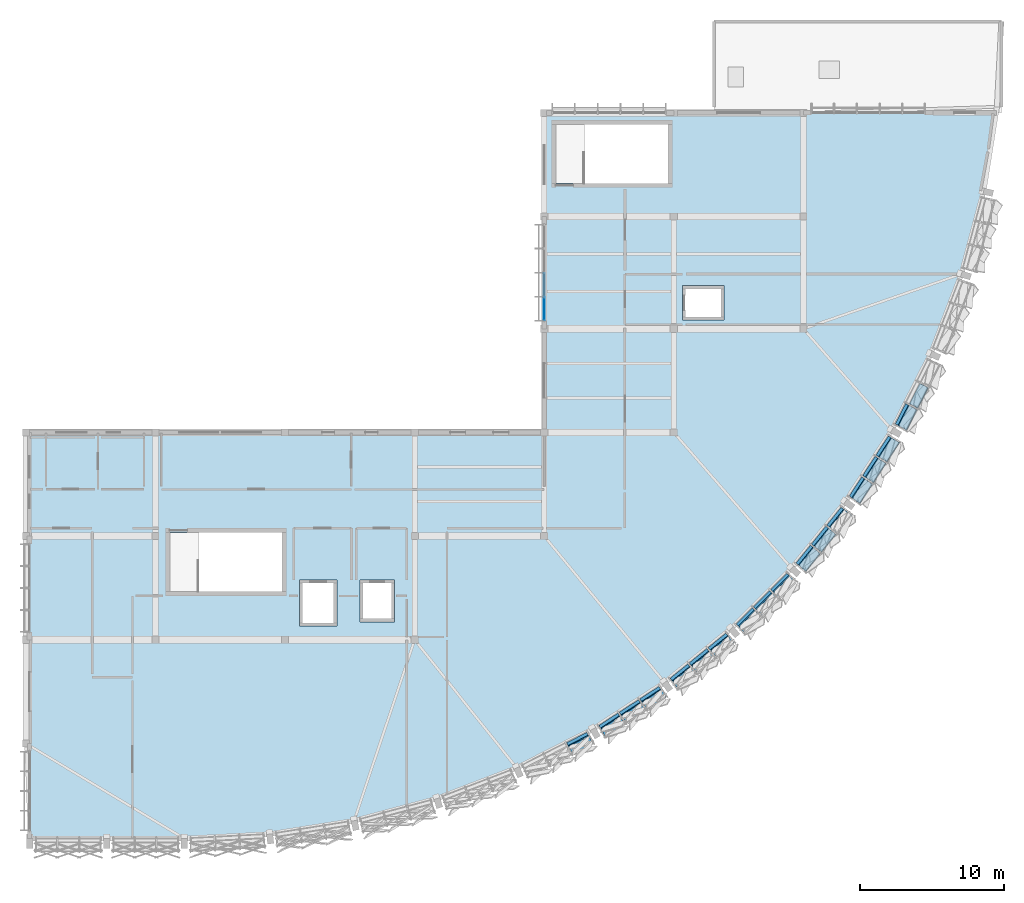
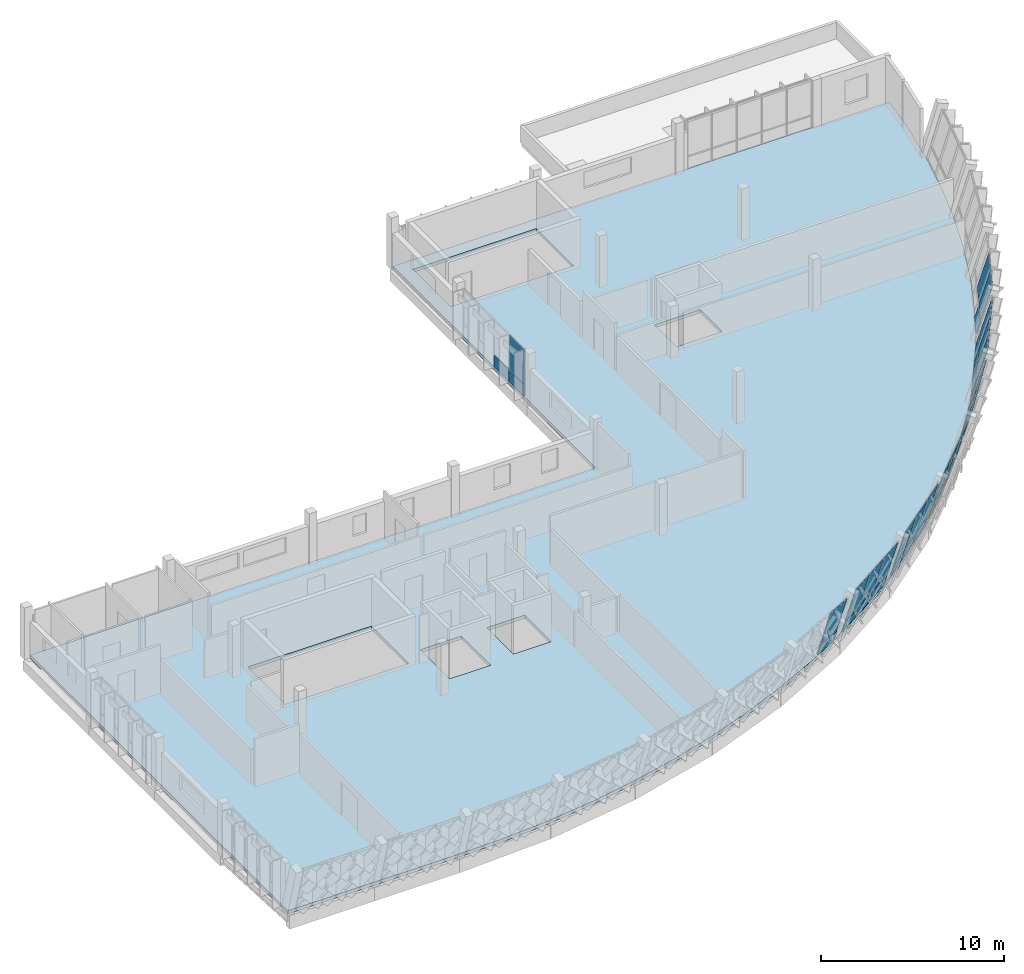
# One storey, part 19 of 24: 38 plates, 1 slab, 8 elements without a shape of their own.
"""IFC4 building model written with IfcOpenShell, lengths in metres."""

from ifc_helpers import new_model, si_unit, direction, frame, origin, origin_2d, place, context, subcontext, project, spatial, polyline, rectangle, outline, extrude, material, layer, layer_set, type_object, element, aggregate, save


model = new_model("IFC4")

# Units and contexts
model_context = context("Model", 3, precision=1e-05, world=origin(), true_north=direction((0.0, 1.0)))
body_context = subcontext(model_context, "Body", "Model", "MODEL_VIEW")
ifc_project = project(units=[si_unit("LENGTHUNIT", "METRE"), si_unit("AREAUNIT", "SQUARE_METRE"), si_unit("VOLUMEUNIT", "CUBIC_METRE"), si_unit("PLANEANGLEUNIT", "RADIAN"), si_unit("MASSUNIT", "GRAM", prefix="KILO")], contexts=[model_context])

# Site, building, storey
site_placement = place(None, origin())
site = spatial("IfcSite", under=ifc_project, at=site_placement, CompositionType="ELEMENT")
building_placement = place(site_placement, origin())
building = spatial("IfcBuilding", under=site, at=building_placement, Name="Chiffa Square Polytechnic", CompositionType="ELEMENT")
storey_placement = place(building_placement, frame((0.0, 0.0, 26.39990234375)))
storey = spatial("IfcBuildingStorey", under=building, at=storey_placement, Name="L06", CompositionType="ELEMENT", Elevation=26.39990234375)

# Curtain wall, plates
ifc_material_1 = material(Name="Aluminium EN AW-6060 T66 and glulam shading", Category="wood")
curtain_wall_type_1 = type_object("IfcCurtainWallType", Name="CW-PROW-LEAN-150", PredefinedType="USERDEFINED", material=ifc_material_1)
curtain_wall_1_placement = place(storey_placement, origin())
curtain_wall_1 = element("IfcCurtainWall", 1, at=curtain_wall_1_placement, inside=storey, type_object=curtain_wall_type_1, Name="Outward-leaning diamond-fin prow curtain wall CW-V1-L06-107", ObjectType="CURTAIN WALL", PredefinedType="USERDEFINED")
ifc_material_2 = material(Name="Double glazing", Category="glass")
ifc_layer_1 = layer(ifc_material_2, 0.0458984375, Name="Double glazing")
ifc_layer_set_1 = layer_set([ifc_layer_1], Name="Double glazing")
plate_type_1 = type_object("IfcPlateType", Name="CWP-GLZ-128X106", PredefinedType="CURTAIN_PANEL", material=ifc_layer_set_1)
plate_1_placement = place(storey_placement, frame((172.7880859375, 29.286376953125, 0.878173828125), z_axis=(-0.857399270662, 0.436936046004, 0.271943711767), x_axis=(0.454048755209, 0.890976839135, 4.318501e-06)))
plate_1 = element("IfcPlate", 2, at=plate_1_placement, type_object=plate_type_1, Name="Leaning prow curtain panel CW-V1-L06-107-PN01", PredefinedType="CURTAIN_PANEL", context=body_context, shape_type="SweptSolid", body=[
    extrude(outline(polyline([(0.0, 0.0), (1.579706230570249, 0.0), (1.567533038663736, -2.381745894939071), (-0.033245730496973096, -2.381760167763513), (0.0, 0.0)])), origin(), (0.0, 0.0, -1.0), 0.0458984375),
])
plate_2_placement = place(storey_placement, frame((173.560791015625, 30.802978515625, 0.878173828125), z_axis=(-0.857374874463, 0.436959834366, 0.271982403456), x_axis=(0.454080874284, 0.890960470186, 1.3210803e-05)))
plate_2 = element("IfcPlate", 3, at=plate_2_placement, type_object=plate_type_1, Name="Leaning prow curtain panel CW-V1-L06-107-PN02", PredefinedType="CURTAIN_PANEL", context=body_context, shape_type="SweptSolid", body=[
    extrude(outline(polyline([(0.0, 0.0), (1.580034609525402, -2.7755575615628914e-17), (1.590397860925521, -2.381758160560168), (-0.010380906060077974, -2.381801827819024), (0.0, 0.0)])), origin(), (0.0, 0.0, -1.0), 0.0458984375),
])

curtain_wall_type_2 = type_object("IfcCurtainWallType", Name="CW-PROW-LEAN-300", PredefinedType="USERDEFINED", material=ifc_material_1)
curtain_wall_2_placement = place(storey_placement, origin())
curtain_wall_2 = element("IfcCurtainWall", 4, at=curtain_wall_2_placement, inside=storey, type_object=curtain_wall_type_2, Name="Outward-leaning diamond-fin prow curtain wall CW-V1-L06-106", ObjectType="CURTAIN WALL", PredefinedType="USERDEFINED")
ifc_layer_2 = layer(ifc_material_2, 0.0458984375, Name="Double glazing")
ifc_layer_set_2 = layer_set([ifc_layer_2], Name="Double glazing")
plate_type_2 = type_object("IfcPlateType", Name="CWP-GLZ-130X110", PredefinedType="CURTAIN_PANEL", material=ifc_layer_set_2)
plate_3_placement = place(storey_placement, frame((169.58349609375, 24.25732421875, 0.878173828125), z_axis=(-0.807029360371, 0.524177465892, 0.271922039838), x_axis=(0.544697271995, 0.838632745272, -2.0947978e-05)))
plate_3 = element("IfcPlate", 5, at=plate_3_placement, type_object=plate_type_2, Name="Leaning prow curtain panel CW-V1-L06-106-PN01", PredefinedType="CURTAIN_PANEL", context=body_context, shape_type="SweptSolid", body=[
    extrude(outline(polyline([(0.0, 0.0), (1.579236116293647, 0.0), (1.567029341880334, -2.381771884219669), (-0.03333153679498791, -2.3817026700508928), (0.0, 0.0)])), origin(), (0.0, 0.0, -1.0), 0.0458984375),
])
plate_4_placement = place(storey_placement, frame((170.510498046875, 25.6845703125, 0.878173828125), z_axis=(-0.807014463558, 0.524193684789, 0.271934985678), x_axis=(0.544722836712, 0.838616140504, 7.071701e-06)))
plate_4 = element("IfcPlate", 6, at=plate_4_placement, type_object=plate_type_2, Name="Leaning prow curtain panel CW-V1-L06-106-PN02", PredefinedType="CURTAIN_PANEL", context=body_context, shape_type="SweptSolid", body=[
    extrude(outline(polyline([(0.0, 0.0), (1.5793691012717828, -5.551115123125783e-17), (1.5898654841065354, -2.381735142999088), (-0.01070013854764035, -2.381758511162588), (0.0, 0.0)])), origin(), (0.0, 0.0, -1.0), 0.0458984375),
])
plate_5_placement = place(storey_placement, frame((171.4375, 27.11181640625, 0.878173828125), z_axis=(-0.807008137, 0.524189575392, 0.271961680879), x_axis=(0.544722837041, 0.838616140291, 7.07234e-06)))
plate_5 = element("IfcPlate", 7, at=plate_5_placement, type_object=plate_type_2, Name="Leaning prow curtain panel CW-V1-L06-106-PN03", PredefinedType="CURTAIN_PANEL", context=body_context, shape_type="SweptSolid", body=[
    extrude(outline(polyline([(0.0, 0.0), (1.5793691012717912, -5.551115123125783e-17), (1.6126176644457415, -2.3817536463968056), (0.012052041791590846, -2.381777016854301), (0.0, 0.0)])), origin(), (0.0, 0.0, -1.0), 0.0458984375),
])

curtain_wall_3_placement = place(storey_placement, origin())
curtain_wall_3 = element("IfcCurtainWall", 8, at=curtain_wall_3_placement, inside=storey, type_object=curtain_wall_type_1, Name="Outward-leaning diamond-fin prow curtain wall CW-V1-L06-105", ObjectType="CURTAIN WALL", PredefinedType="USERDEFINED")
ifc_layer_3 = layer(ifc_material_2, 0.0439453125, Name="Double glazing")
ifc_layer_set_3 = layer_set([ifc_layer_3], Name="Double glazing")
plate_type_3 = type_object("IfcPlateType", Name="CWP-GLZ-132X114", PredefinedType="CURTAIN_PANEL", material=ifc_layer_set_3)
plate_6_placement = place(storey_placement, frame((165.8701171875, 19.58935546875, 0.878173828125), z_axis=(-0.747891657532, 0.605552178612, 0.271964386586), x_axis=(0.62927195229, 0.777185183882, 3.905479e-06)))
plate_6 = element("IfcPlate", 9, at=plate_6_placement, type_object=plate_type_3, Name="Leaning prow curtain panel CW-V1-L06-105-PN01", PredefinedType="CURTAIN_PANEL", context=body_context, shape_type="SweptSolid", body=[
    extrude(outline(polyline([(0.0, 0.0), (1.579799726432628, -2.7755575615628914e-17), (1.5674094062504527, -2.381761029401205), (-0.03339913188719532, -2.3817739377516762), (0.0, 0.0)])), origin(), (0.0, 0.0, -1.0), 0.0439453125),
])
plate_7_placement = place(storey_placement, frame((166.94140625, 20.912353515625, 0.878173828125), z_axis=(-0.747924492818, 0.605504895568, 0.271979364081), x_axis=(0.629222109291, 0.777225538076, -1.1917465e-05)))
plate_7 = element("IfcPlate", 10, at=plate_7_placement, type_object=plate_type_3, Name="Leaning prow curtain panel CW-V1-L06-105-PN02", PredefinedType="CURTAIN_PANEL", context=body_context, shape_type="SweptSolid", body=[
    extrude(outline(polyline([(0.0, 0.0), (1.5796461030047166, 2.7755575615628914e-17), (1.5899036467821945, -2.3817975577121953), (-0.010904889587290153, -2.381758169957177), (0.0, 0.0)])), origin(), (0.0, 0.0, -1.0), 0.0439453125),
])
plate_8_placement = place(storey_placement, frame((168.012451171875, 22.235595703125, 0.878173828125), z_axis=(-0.74795709782, 0.605457419628, 0.271995391207), x_axis=(0.629179165848, 0.777260302118, 3.698582e-06)))
plate_8 = element("IfcPlate", 11, at=plate_8_placement, type_object=plate_type_3, Name="Leaning prow curtain panel CW-V1-L06-105-PN03", PredefinedType="CURTAIN_PANEL", context=body_context, shape_type="SweptSolid", body=[
    extrude(outline(polyline([(0.0, 0.0), (1.5796461043751164, 8.326672684688674e-17), (1.612475698746839, -2.3817828821980154), (0.011820777184778693, -2.3817951056426567), (0.0, 0.0)])), origin(), (0.0, 0.0, -1.0), 0.0439453125),
])

curtain_wall_4_placement = place(storey_placement, origin())
curtain_wall_4 = element("IfcCurtainWall", 12, at=curtain_wall_4_placement, inside=storey, type_object=curtain_wall_type_2, Name="Outward-leaning diamond-fin prow curtain wall CW-V1-L06-104", ObjectType="CURTAIN WALL", PredefinedType="USERDEFINED")
ifc_layer_4 = layer(ifc_material_2, 0.0439453125, Name="Double glazing")
ifc_layer_set_4 = layer_set([ifc_layer_4], Name="Double glazing")
plate_type_4 = type_object("IfcPlateType", Name="CWP-GLZ-134X118", PredefinedType="CURTAIN_PANEL", material=ifc_layer_set_4)
plate_9_placement = place(storey_placement, frame((161.689697265625, 15.336669921875, 0.878173828125), z_axis=(-0.680487086763, 0.680413193063, 0.271983844105), x_axis=(0.707065508501, 0.707148051317, -1.4396202e-05)))
plate_9 = element("IfcPlate", 13, at=plate_9_placement, type_object=plate_type_4, Name="Leaning prow curtain panel CW-V1-L06-104-PN01", PredefinedType="CURTAIN_PANEL", context=body_context, shape_type="SweptSolid", body=[
    extrude(outline(polyline([(0.0, 0.0), (1.5794238209612708, 2.7755575615628914e-17), (1.56709603177453, -2.381804445949473), (-0.0328711645621665, -2.381756881709961), (0.0, 0.0)])), origin(), (0.0, 0.0, -1.0), 0.0439453125),
])
plate_10_placement = place(storey_placement, frame((162.89306640625, 16.5400390625, 0.878173828125), z_axis=(-0.680456752521, 0.680456752521, 0.271950760062), x_axis=(0.707106781187, 0.707106781187, 0.0)))
plate_10 = element("IfcPlate", 14, at=plate_10_placement, type_object=plate_type_4, Name="Leaning prow curtain panel CW-V1-L06-104-PN02", PredefinedType="CURTAIN_PANEL", context=body_context, shape_type="SweptSolid", body=[
    extrude(outline(polyline([(0.0, 0.0), (1.579596447230691, 0.0), (1.5899544567207284, -2.3817578592676263), (-0.010358009490037345, -2.3817578592676263), (0.0, 0.0)])), origin(), (0.0, 0.0, -1.0), 0.0439453125),
])
plate_11_placement = place(storey_placement, frame((164.096435546875, 17.74365234375, 0.878173828125), z_axis=(-0.680383047722, 0.680530828575, 0.271949811054), x_axis=(0.707183598572, 0.707029955455, 1.86367e-07)))
plate_11 = element("IfcPlate", 15, at=plate_11_placement, type_object=plate_type_4, Name="Leaning prow curtain panel CW-V1-L06-104-PN03", PredefinedType="CURTAIN_PANEL", context=body_context, shape_type="SweptSolid", body=[
    extrude(outline(polyline([(0.0, 0.0), (1.5794238231733746, 2.7755575615628914e-17), (1.6122949832652949, -2.381756883238577), (0.012155141234102744, -2.381757499012696), (0.0, 0.0)])), origin(), (0.0, 0.0, -1.0), 0.0439453125),
])

curtain_wall_5_placement = place(storey_placement, origin())
curtain_wall_5 = element("IfcCurtainWall", 16, at=curtain_wall_5_placement, inside=storey, type_object=curtain_wall_type_1, Name="Outward-leaning diamond-fin prow curtain wall CW-V1-L06-103", ObjectType="CURTAIN WALL", PredefinedType="USERDEFINED")
ifc_layer_5 = layer(ifc_material_2, 0.0419921875, Name="Double glazing")
ifc_layer_set_5 = layer_set([ifc_layer_5], Name="Double glazing")
plate_type_5 = type_object("IfcPlateType", Name="CWP-GLZ-136X122", PredefinedType="CURTAIN_PANEL", material=ifc_layer_set_5)
plate_12_placement = place(storey_placement, frame((157.086669921875, 11.543701171875, 0.878173828125), z_axis=(-0.605495576603, 0.747912981958, 0.272031759421), x_axis=(0.777225538893, 0.629222108282, 1.1919578e-05)))
plate_12 = element("IfcPlate", 17, at=plate_12_placement, type_object=plate_type_5, Name="Leaning prow curtain panel CW-V1-L06-103-PN01", PredefinedType="CURTAIN_PANEL", context=body_context, shape_type="SweptSolid", body=[
    extrude(outline(polyline([(0.0, 0.0), (1.5796461030047633, -2.7755575615628914e-17), (1.5678253285504362, -2.3817951047473667), (-0.03298320781890754, -2.3818345000902212), (0.0, 0.0)])), origin(), (0.0, 0.0, -1.0), 0.0419921875),
])
plate_13_placement = place(storey_placement, frame((158.409912109375, 12.61474609375, 0.878173828125), z_axis=(-0.605474082531, 0.747960297634, 0.271949496314), x_axis=(0.777253679608, 0.629187346929, -7.23378e-07)))
plate_13 = element("IfcPlate", 18, at=plate_13_placement, type_object=plate_type_5, Name="Leaning prow curtain panel CW-V1-L06-103-PN02", PredefinedType="CURTAIN_PANEL", context=body_context, shape_type="SweptSolid", body=[
    extrude(outline(polyline([(0.0, 0.0), (1.5796461045155699, 2.7755575615628914e-17), (1.5905509910707236, -2.3817581709730975), (-0.01044729955188448, -2.381755780056191), (0.0, 0.0)])), origin(), (0.0, 0.0, -1.0), 0.0419921875),
])
plate_14_placement = place(storey_placement, frame((159.73291015625, 13.685791015625, 0.878173828125), z_axis=(-0.605514213025, 0.747936001815, 0.271926966322), x_axis=(0.77722553726, 0.629222110299, 1.1915353e-05)))
plate_14 = element("IfcPlate", 19, at=plate_14_placement, type_object=plate_type_5, Name="Leaning prow curtain panel CW-V1-L06-103-PN03", PredefinedType="CURTAIN_PANEL", context=body_context, shape_type="SweptSolid", body=[
    extrude(outline(polyline([(0.0, 0.0), (1.57964610300467, 2.7755575615628914e-17), (1.6132766566335786, -2.381721242336871), (0.0124681202639534, -2.3817606225037036), (0.0, 0.0)])), origin(), (0.0, 0.0, -1.0), 0.0419921875),
])

curtain_wall_6_placement = place(storey_placement, origin())
curtain_wall_6 = element("IfcCurtainWall", 20, at=curtain_wall_6_placement, inside=storey, type_object=curtain_wall_type_2, Name="Outward-leaning diamond-fin prow curtain wall CW-V1-L06-102", ObjectType="CURTAIN WALL", PredefinedType="USERDEFINED")
ifc_layer_6 = layer(ifc_material_2, 0.0419921875, Name="Double glazing")
ifc_layer_set_6 = layer_set([ifc_layer_6], Name="Double glazing")
plate_type_6 = type_object("IfcPlateType", Name="CWP-GLZ-138X126", PredefinedType="CURTAIN_PANEL", material=ifc_layer_set_6)
plate_15_placement = place(storey_placement, frame((152.113525390625, 8.252197265625, 0.878173828125), z_axis=(-0.52409361491, 0.807048019351, 0.272028265577), x_axis=(0.838673099703, 0.54463513628, -1.283489e-05)))
plate_15 = element("IfcPlate", 21, at=plate_15_placement, type_object=plate_type_6, Name="Leaning prow curtain panel CW-V1-L06-102-PN01", PredefinedType="CURTAIN_PANEL", context=body_context, shape_type="SweptSolid", body=[
    extrude(outline(polyline([(0.0, 0.0), (1.5795738425869785, 0.0), (1.5674433679768853, -2.3818329866658647), (-0.03298928306894511, -2.3817905721498085), (0.0, 0.0)])), origin(), (0.0, 0.0, -1.0), 0.0419921875),
])
plate_16_placement = place(storey_placement, frame((153.541015625, 9.17919921875, 0.878173828125), z_axis=(-0.524193684789, 0.807014463558, 0.271934985678), x_axis=(0.838616140504, 0.544722836712, -7.071701e-06)))
plate_16 = element("IfcPlate", 22, at=plate_16_placement, type_object=plate_type_6, Name="Leaning prow curtain panel CW-V1-L06-102-PN02", PredefinedType="CURTAIN_PANEL", context=body_context, shape_type="SweptSolid", body=[
    extrude(outline(polyline([(0.0, 0.0), (1.5793691012717828, 5.551115123125783e-17), (1.5900692398194232, -2.381758511162588), (-0.01049638283475268, -2.381735142999088), (0.0, 0.0)])), origin(), (0.0, 0.0, -1.0), 0.0419921875),
])
plate_17_placement = place(storey_placement, frame((154.96826171875, 10.106201171875, 0.878173828125), z_axis=(-0.524223214951, 0.806986039985, 0.271962409493), x_axis=(0.83859504233, 0.544755316601, 3.873429e-06)))
plate_17 = element("IfcPlate", 23, at=plate_17_placement, type_object=plate_type_6, Name="Leaning prow curtain panel CW-V1-L06-102-PN03", PredefinedType="CURTAIN_PANEL", context=body_context, shape_type="SweptSolid", body=[
    extrude(outline(polyline([(0.0, 0.0), (1.5793691016456328, -2.7755575615628914e-17), (1.6124836887388623, -2.381759517219664), (0.01212280415182687, -2.381772316094749), (0.0, 0.0)])), origin(), (0.0, 0.0, -1.0), 0.0419921875),
])

# Curtain wall, plate
curtain_wall_type_3 = type_object("IfcCurtainWallType", Name="CW-VERT-450X440", PredefinedType="USERDEFINED", material=ifc_material_1)
curtain_wall_7_placement = place(storey_placement, origin())
curtain_wall_7 = element("IfcCurtainWall", 24, at=curtain_wall_7_placement, inside=storey, type_object=curtain_wall_type_3, Name="Curtain wall CW-V1-L06-144", ObjectType="CURTAIN WALL", PredefinedType="USERDEFINED")
plate_18_placement = place(storey_placement, frame((148.199951171875, 37.39111328125, 0.840087890625), z_axis=(0.0, 0.0, 1.0), x_axis=(0.0, -1.0, 0.0)))
plate_18 = element("IfcPlate", 25, at=plate_18_placement, type_object=plate_type_6, Name="Glazed curtain panel CW-V1-L06-144-PN04", PredefinedType="CURTAIN_PANEL", context=body_context, shape_type="SweptSolid", body=[
    extrude(rectangle(XDim=1.60595703125, YDim=0.0419921875, at=origin_2d()), origin(), (0.0, 0.0, 1.0), 2.330078125),
])

# Curtain wall, plates
curtain_wall_8_placement = place(storey_placement, origin())
curtain_wall_8 = element("IfcCurtainWall", 26, at=curtain_wall_8_placement, inside=storey, type_object=curtain_wall_type_1, Name="Outward-leaning diamond-fin prow curtain wall CW-V1-L06-101", ObjectType="CURTAIN WALL", PredefinedType="USERDEFINED")
ifc_layer_7 = layer(ifc_material_2, 0.0400390625, Name="Double glazing")
ifc_layer_set_7 = layer_set([ifc_layer_7], Name="Double glazing")
plate_type_7 = type_object("IfcPlateType", Name="CWP-GLZ-140X130", PredefinedType="CURTAIN_PANEL", material=ifc_layer_set_7)
plate_19_placement = place(storey_placement, frame((149.856201171875, 7.044677734375, 0.878173828125), z_axis=(-0.436844978746, 0.857439383375, 0.271963542378), x_axis=(0.891020244853, 0.453963569332, -3.1338899e-05)))
plate_19 = element("IfcPlate", 27, at=plate_19_placement, type_object=plate_type_7, Name="Leaning prow curtain panel CW-V1-L06-101-PN03", PredefinedType="CURTAIN_PANEL", context=body_context, shape_type="SweptSolid", body=[
    extrude(outline(polyline([(0.0, 0.0), (1.5797062202814387, 0.0), (1.612841116500843, -2.3818193258255924), (0.011955649458388356, -2.381715745382252), (0.0, 0.0)])), origin(), (0.0, 0.0, -1.0), 0.0400390625),
])
ifc_material_3 = material(Name="Aluminium insulated spandrel", Category="aluminium")
ifc_layer_8 = layer(ifc_material_3, 0.072021484375, Name="Aluminium insulated spandrel")
ifc_layer_set_8 = layer_set([ifc_layer_8], Name="Aluminium insulated spandrel")
plate_type_8 = type_object("IfcPlateType", Name="CWP-SPN-136X072", PredefinedType="SHEET", material=ifc_layer_set_8)
plate_20_placement = place(storey_placement, frame((149.74609375, 7.251220703125, 0.050048828125), z_axis=(-0.43695889544, 0.857366882367, 0.272009104104), x_axis=(0.890960264727, 0.454081277589, -4.544526e-06)))
plate_20 = element("IfcPlate", 28, at=plate_20_placement, type_object=plate_type_8, Name="Leaning prow curtain panel CW-V1-L06-101-SP03", PredefinedType="SHEET", context=body_context, shape_type="SweptSolid", body=[
    extrude(outline(polyline([(0.0, 0.0), (1.5720636460960211, 2.7755575615628914e-17), (1.5830467605659515, -0.8022281200486463), (0.003886429047186371, -0.8022132381017523), (0.0, 0.0)])), origin(), (0.0, 0.0, -1.0), 0.072021484375),
])
aggregate(curtain_wall_8, [plate_20, plate_19])

# Plate
ifc_layer_9 = layer(ifc_material_3, 0.068115234375, Name="Aluminium insulated spandrel")
ifc_layer_set_9 = layer_set([ifc_layer_9], Name="Aluminium insulated spandrel")
plate_type_9 = type_object("IfcPlateType", Name="CWP-SPN-140X076", PredefinedType="SHEET", material=ifc_layer_set_9)
plate_21_placement = place(storey_placement, frame((172.5849609375, 29.4033203125, 0.050048828125), z_axis=(-0.857428143735, 0.436877569106, 0.271946627011), x_axis=(0.453995299754, 0.891004077875, 3.1813326e-05)))
plate_21 = element("IfcPlate", 29, at=plate_21_placement, type_object=plate_type_9, Name="Leaning prow curtain panel CW-V1-L06-107-SP01", PredefinedType="SHEET", context=body_context, shape_type="SweptSolid", body=[
    extrude(outline(polyline([(0.0, 0.0), (1.5720636355584339, 2.7755575615628914e-17), (1.5680663643755854, -0.8021540848759685), (-0.011200653433742942, -0.8022582655100361), (0.0, 0.0)])), origin(), (0.0, 0.0, -1.0), 0.068115234375),
])

aggregate(curtain_wall_1, [plate_21, plate_1, plate_2])

ifc_layer_10 = layer(ifc_material_3, 0.06591796875, Name="Aluminium insulated spandrel")
ifc_layer_set_10 = layer_set([ifc_layer_10], Name="Aluminium insulated spandrel")
plate_type_10 = type_object("IfcPlateType", Name="CWP-SPN-144X078", PredefinedType="SHEET", material=ifc_layer_set_10)
plate_22_placement = place(storey_placement, frame((169.393798828125, 24.394775390625, 0.050048828125), z_axis=(-0.807055141153, 0.524142159028, 0.271913582352), x_axis=(0.544661109382, 0.83865623217, -1.3017737e-05)))
plate_22 = element("IfcPlate", 30, at=plate_22_placement, type_object=plate_type_10, Name="Leaning prow curtain panel CW-V1-L06-106-SP01", PredefinedType="SHEET", context=body_context, shape_type="SweptSolid", body=[
    extrude(outline(polyline([(0.0, 0.0), (1.5716520622505474, -2.7755575615628914e-17), (1.5678006471825863, -0.8022193478656836), (-0.01123072284719441, -0.8021767272220232), (0.0, 0.0)])), origin(), (0.0, 0.0, -1.0), 0.06591796875),
])

plate_23_placement = place(storey_placement, frame((170.31640625, 25.815185546875, 0.050048828125), z_axis=(-0.807048739154, 0.524138001248, 0.271940596965), x_axis=(0.544661108769, 0.838656232568, -1.3018927e-05)))
plate_23 = element("IfcPlate", 31, at=plate_23_placement, type_object=plate_type_10, Name="Leaning prow curtain panel CW-V1-L06-106-SP02", PredefinedType="SHEET", context=body_context, shape_type="SweptSolid", body=[
    extrude(outline(polyline([(0.0, 0.0), (1.571652062250576, 0.0), (1.5753847039403464, -0.8022258160971221), (-0.0036466660893486585, -0.8021831912191009), (0.0, 0.0)])), origin(), (0.0, 0.0, -1.0), 0.06591796875),
])

plate_24_placement = place(storey_placement, frame((171.239013671875, 27.235595703125, 0.050048828125), z_axis=(-0.80704233662, 0.524133843121, 0.271967610935), x_axis=(0.544661108156, 0.838656232966, -1.3020117e-05)))
plate_24 = element("IfcPlate", 32, at=plate_24_placement, type_object=plate_type_10, Name="Leaning prow curtain panel CW-V1-L06-106-SP03", PredefinedType="SHEET", context=body_context, shape_type="SweptSolid", body=[
    extrude(outline(polyline([(0.0, 0.0), (1.5716520622506045, -5.551115123125783e-17), (1.5829687606981058, -0.8022322849810719), (0.003937390668496776, -0.8021896558687907), (0.0, 0.0)])), origin(), (0.0, 0.0, -1.0), 0.06591796875),
])

aggregate(curtain_wall_2, [plate_22, plate_3, plate_23, plate_4, plate_24, plate_5])

ifc_layer_11 = layer(ifc_material_3, 0.06396484375, Name="Aluminium insulated spandrel")
ifc_layer_set_11 = layer_set([ifc_layer_11], Name="Aluminium insulated spandrel")
plate_type_11 = type_object("IfcPlateType", Name="CWP-SPN-146X082", PredefinedType="SHEET", material=ifc_layer_set_11)
plate_25_placement = place(storey_placement, frame((165.69580078125, 19.745849609375, 0.050048828125), z_axis=(-0.747944817377, 0.605482687804, 0.271972912121), x_axis=(0.629202605386, 0.777241327568, 9.779249e-06)))
plate_25 = element("IfcPlate", 33, at=plate_25_placement, type_object=plate_type_11, Name="Leaning prow curtain panel CW-V1-L06-105-SP01", PredefinedType="SHEET", context=body_context, shape_type="SweptSolid", body=[
    extrude(outline(polyline([(0.0, 0.0), (1.5721732913824353, -2.7755575615628914e-17), (1.5681429546433432, -0.8021961802157185), (-0.01115977947127334, -0.8022282065175879), (0.0, 0.0)])), origin(), (0.0, 0.0, -1.0), 0.06396484375),
])

plate_26_placement = place(storey_placement, frame((166.761962890625, 21.0625, 0.050048828125), z_axis=(-0.747965441645, 0.605499383737, 0.271879006911), x_axis=(0.629196990729, 0.777245872687, -1.5785965e-05)))
plate_26 = element("IfcPlate", 34, at=plate_26_placement, type_object=plate_type_11, Name="Leaning prow curtain panel CW-V1-L06-105-SP02", PredefinedType="SHEET", context=body_context, shape_type="SweptSolid", body=[
    extrude(outline(polyline([(0.0, 0.0), (1.572363048120872, 0.0), (1.5755944562108375, -0.8022158420500378), (-0.003518520904062944, -0.8021641456289935), (0.0, 0.0)])), origin(), (0.0, 0.0, -1.0), 0.06396484375),
])

plate_27_placement = place(storey_placement, frame((167.827880859375, 22.37939453125, 0.050048828125), z_axis=(-0.747937954082, 0.605477131771, 0.272004153913), x_axis=(0.62920260588, 0.777241327168, 9.780282e-06)))
plate_27 = element("IfcPlate", 35, at=plate_27_placement, type_object=plate_type_11, Name="Leaning prow curtain panel CW-V1-L06-105-SP03", PredefinedType="SHEET", context=body_context, shape_type="SweptSolid", body=[
    extrude(outline(polyline([(0.0, 0.0), (1.5721732913824542, -2.7755575615628914e-17), (1.5832421951631348, -0.8022033862548783), (0.003939461048574283, -0.8022354162356401), (0.0, 0.0)])), origin(), (0.0, 0.0, -1.0), 0.06396484375),
])

aggregate(curtain_wall_3, [plate_25, plate_6, plate_26, plate_7, plate_27, plate_8])

ifc_layer_12 = layer(ifc_material_3, 0.06201171875, Name="Aluminium insulated spandrel")
ifc_layer_set_12 = layer_set([ifc_layer_12], Name="Aluminium insulated spandrel")
plate_type_12 = type_object("IfcPlateType", Name="CWP-SPN-148X084", PredefinedType="SHEET", material=ifc_layer_set_12)
plate_28_placement = place(storey_placement, frame((161.53271484375, 15.510498046875, 0.050048828125), z_axis=(-0.680502980322, 0.680428412825, 0.271905992566), x_axis=(0.707065159121, 0.707148400656, -1.4401396e-05)))
plate_28 = element("IfcPlate", 36, at=plate_28_placement, type_object=plate_type_12, Name="Leaning prow curtain panel CW-V1-L06-104-SP01", PredefinedType="SHEET", context=body_context, shape_type="SweptSolid", body=[
    extrude(outline(polyline([(0.0, 0.0), (1.5718279473886252, -2.7755575615628914e-17), (1.5676607822076225, -0.8022198122762172), (-0.011245128158212962, -0.802172660823441), (0.0, 0.0)])), origin(), (0.0, 0.0, -1.0), 0.06201171875),
])

plate_29_placement = place(storey_placement, frame((162.730224609375, 16.708251953125, 0.050048828125), z_axis=(-0.680428316838, 0.680502884325, 0.271906473021), x_axis=(0.707148400666, 0.707065159111, 1.4401419e-05)))
plate_29 = element("IfcPlate", 37, at=plate_29_placement, type_object=plate_type_12, Name="Leaning prow curtain panel CW-V1-L06-104-SP02", PredefinedType="SHEET", context=body_context, shape_type="SweptSolid", body=[
    extrude(outline(polyline([(0.0, 0.0), (1.5718279473886259, -2.7755575615628914e-17), (1.5754772019559689, -0.8021728876202707), (-0.0034287084098647207, -0.8022200391563631), (0.0, 0.0)])), origin(), (0.0, 0.0, -1.0), 0.06201171875),
])

plate_30_placement = place(storey_placement, frame((163.927978515625, 17.906005859375, 0.050048828125), z_axis=(-0.680502790221, 0.680428214572, 0.271906964449), x_axis=(0.707070897252, 0.707142663154, 1.4338455e-05)))
plate_30 = element("IfcPlate", 38, at=plate_30_placement, type_object=plate_type_12, Name="Leaning prow curtain panel CW-V1-L06-104-SP03", PredefinedType="SHEET", context=body_context, shape_type="SweptSolid", body=[
    extrude(outline(polyline([(0.0, 0.0), (1.5716553044364612, 0.0), (1.5828764857700055, -0.8021729961992866), (0.004143199431373596, -0.802219936447988), (0.0, 0.0)])), origin(), (0.0, 0.0, -1.0), 0.06201171875),
])

aggregate(curtain_wall_4, [plate_28, plate_9, plate_29, plate_10, plate_30, plate_11])

plate_31_placement = place(storey_placement, frame((148.199951171875, 39.06005859375, 0.050048828125), z_axis=(0.0, 0.0, 1.0), x_axis=(0.0, -1.0, 0.0)))
plate_31 = element("IfcPlate", 39, at=plate_31_placement, type_object=plate_type_12, Name="Spandrel panel CW-V1-L06-144-SP03", PredefinedType="SHEET", context=body_context, shape_type="SweptSolid", body=[
    extrude(rectangle(XDim=1.6279296875, YDim=0.06201171875, at=origin_2d()), origin(), (0.0, 0.0, 1.0), 0.75),
])

plate_32_placement = place(storey_placement, frame((148.199951171875, 37.39111328125, 0.050048828125), z_axis=(0.0, 0.0, 1.0), x_axis=(0.0, -1.0, 0.0)))
plate_32 = element("IfcPlate", 40, at=plate_32_placement, type_object=plate_type_12, Name="Spandrel panel CW-V1-L06-144-SP04", PredefinedType="SHEET", context=body_context, shape_type="SweptSolid", body=[
    extrude(rectangle(XDim=1.60595703125, YDim=0.06201171875, at=origin_2d()), origin(), (0.0, 0.0, 1.0), 0.75),
])

aggregate(curtain_wall_7, [plate_31, plate_32, plate_18])

ifc_layer_13 = layer(ifc_material_3, 0.06005859375, Name="Aluminium insulated spandrel")
ifc_layer_set_13 = layer_set([ifc_layer_13], Name="Aluminium insulated spandrel")
plate_type_13 = type_object("IfcPlateType", Name="CWP-SPN-150X080", PredefinedType="SHEET", material=ifc_layer_set_13)
plate_33_placement = place(storey_placement, frame((156.94873046875, 11.73291015625, 0.050048828125), z_axis=(-0.605529433108, 0.74792800701, 0.271915063889), x_axis=(0.777212924047, 0.629237690134, 2.97808e-06)))
plate_33 = element("IfcPlate", 41, at=plate_33_placement, type_object=plate_type_13, Name="Leaning prow curtain panel CW-V1-L06-103-SP01", PredefinedType="SHEET", context=body_context, shape_type="SweptSolid", body=[
    extrude(outline(polyline([(0.0, 0.0), (1.5721732923044622, 0.0), (1.5680440785460297, -0.8021936358538168), (-0.011068901930173245, -0.8022033880873807), (0.0, 0.0)])), origin(), (0.0, 0.0, -1.0), 0.06005859375),
])

plate_34_placement = place(storey_placement, frame((158.265380859375, 12.798828125, 0.050048828125), z_axis=(-0.605499383737, 0.747965441645, 0.271879006911), x_axis=(0.777241328769, 0.629202603903, -9.776142e-06)))
plate_34 = element("IfcPlate", 42, at=plate_34_placement, type_object=plate_type_13, Name="Leaning prow curtain panel CW-V1-L06-103-SP02", PredefinedType="SHEET", context=body_context, shape_type="SweptSolid", body=[
    extrude(outline(polyline([(0.0, 0.0), (1.5721732913823794, -2.7755575615628914e-17), (1.5758602608354386, -0.8022060049917642), (-0.003442473279346414, -0.8021739897477481), (0.0, 0.0)])), origin(), (0.0, 0.0, -1.0), 0.06005859375),
])

plate_35_placement = place(storey_placement, frame((159.582275390625, 13.864990234375, 0.050048828125), z_axis=(-0.60545721574, 0.748005448285, 0.271862850063), x_axis=(0.77728202779, 0.629152325942, 6.050054e-06)))
plate_35 = element("IfcPlate", 43, at=plate_35_placement, type_object=plate_type_13, Name="Leaning prow curtain panel CW-V1-L06-103-SP03", PredefinedType="SHEET", context=body_context, shape_type="SweptSolid", body=[
    extrude(outline(polyline([(0.0, 0.0), (1.5720196829783832, -2.7755575615628914e-17), (1.5833594012739547, -0.8021762368637239), (0.004056666334617996, -0.8021960487293368), (0.0, 0.0)])), origin(), (0.0, 0.0, -1.0), 0.06005859375),
])

aggregate(curtain_wall_5, [plate_33, plate_12, plate_34, plate_13, plate_35, plate_14])

ifc_layer_14 = layer(ifc_material_3, 0.06005859375, Name="Aluminium insulated spandrel")
ifc_layer_set_14 = layer_set([ifc_layer_14], Name="Aluminium insulated spandrel")
plate_type_14 = type_object("IfcPlateType", Name="CWP-SPN-150X095", PredefinedType="SHEET", material=ifc_layer_set_14)
plate_36_placement = place(storey_placement, frame((151.99609375, 8.455078125, 0.050048828125), z_axis=(-0.524133843121, 0.80704233662, 0.271967610935), x_axis=(0.838659640375, 0.544655860493, 3.5158872e-05)))
plate_36 = element("IfcPlate", 44, at=plate_36_placement, type_object=plate_type_14, Name="Leaning prow curtain panel CW-V1-L06-102-SP01", PredefinedType="SHEET", context=body_context, shape_type="SweptSolid", body=[
    extrude(outline(polyline([(0.0, 0.0), (1.5718568127234516, -2.7755575615628914e-17), (1.567733126287136, -0.8021535889208798), (-0.011093491455117982, -0.8022687024389163), (0.0, 0.0)])), origin(), (0.0, 0.0, -1.0), 0.06005859375),
])

plate_37_placement = place(storey_placement, frame((153.41650390625, 9.377685546875, 0.050048828125), z_axis=(-0.524092127891, 0.807052666424, 0.27201734338), x_axis=(0.838680926914, 0.544623082736, 2.4117911e-05)))
plate_37 = element("IfcPlate", 45, at=plate_37_placement, type_object=plate_type_14, Name="Leaning prow curtain panel CW-V1-L06-102-SP02", PredefinedType="SHEET", context=body_context, shape_type="SweptSolid", body=[
    extrude(outline(polyline([(0.0, 0.0), (1.5718568196797984, -2.7755575615628914e-17), (1.5755219415196537, -0.8021830985307529), (-0.0035094227530279003, -0.8022620691675401), (0.0, 0.0)])), origin(), (0.0, 0.0, -1.0), 0.06005859375),
])

plate_38_placement = place(storey_placement, frame((154.8369140625, 10.30029296875, 0.050048828125), z_axis=(-0.524096343261, 0.807059157697, 0.271989961134), x_axis=(0.838680926167, 0.544623083887, 2.4115677e-05)))
plate_38 = element("IfcPlate", 46, at=plate_38_placement, type_object=plate_type_14, Name="Leaning prow curtain panel CW-V1-L06-102-SP03", PredefinedType="SHEET", context=body_context, shape_type="SweptSolid", body=[
    extrude(outline(polyline([(0.0, 0.0), (1.5718568196796991, 0.0), (1.5831059962600553, -0.8021764600739795), (0.004074631987074994, -0.8022554227612977), (0.0, 0.0)])), origin(), (0.0, 0.0, -1.0), 0.06005859375),
])

aggregate(curtain_wall_6, [plate_36, plate_15, plate_37, plate_16, plate_38, plate_17])

# Slab
ifc_material_4 = material(Name="Concrete C35/45", Category="concrete")
ifc_layer_15 = layer(ifc_material_4, 0.219970703125, Name="Concrete C35/45")
ifc_layer_set_15 = layer_set([ifc_layer_15], Name="Concrete C35/45")
slab_type = type_object("IfcSlabType", Name="SLB-FLR-220", PredefinedType="FLOOR", material=ifc_layer_set_15)
slab_placement = place(storey_placement, frame((0.0, 0.0, -0.219970703125)))
element("IfcSlab", 47, at=slab_placement, inside=storey, type_object=slab_type, Name="V1 L06 structural slab SLB-V1-L06-008", PredefinedType="FLOOR", context=body_context, shape_type="SweptSolid", body=[
    extrude(outline(polyline([(112.449951171875, 28.800048828125), (148.199951171875, 28.800048828125), (148.199951171875, 51.0), (179.597900390625, 51.0), (179.2548828125, 48.471923828125), (178.714111328125, 45.550048828125), (178.02001953125, 42.660888671875), (177.176025390625, 39.81201171875), (176.18408203125, 37.010986328125), (175.047119140625, 34.26611328125), (173.76806640625, 31.583984375), (172.35009765625, 28.972900390625), (170.798095703125, 26.43994140625), (169.114990234375, 23.990966796875), (167.305908203125, 21.634033203125), (165.3759765625, 19.3740234375), (163.3310546875, 17.218994140625), (161.176025390625, 15.174072265625), (158.916015625, 13.243896484375), (156.55908203125, 11.43505859375), (154.110107421875, 9.751953125), (151.576904296875, 8.199951171875), (148.966064453125, 6.781982421875), (146.283935546875, 5.5029296875), (143.5390625, 4.365966796875), (140.738037109375, 3.3740234375), (137.888916015625, 2.530029296875), (135.0, 1.8359375), (132.077880859375, 1.294921875), (129.132080078125, 0.906982421875), (126.169921875, 0.674072265625), (123.199951171875, 0.595947265625), (120.512939453125, 0.595947265625), (117.824951171875, 0.595947265625), (115.137939453125, 0.595947265625), (112.449951171875, 0.595947265625), (112.449951171875, 28.800048828125)]), holes=[polyline([(122.199951171875, 21.85009765625), (130.0, 21.85009765625), (130.0, 17.75), (122.199951171875, 17.75), (122.199951171875, 21.85009765625)]), polyline([(149.0, 50.199951171875), (156.800048828125, 50.199951171875), (156.800048828125, 46.10009765625), (149.0, 46.10009765625), (149.0, 50.199951171875)]), polyline([(131.199951171875, 18.550048828125), (133.800048828125, 18.550048828125), (133.800048828125, 15.35009765625), (131.199951171875, 15.35009765625), (131.199951171875, 18.550048828125)]), polyline([(135.39990234375, 18.550048828125), (137.800048828125, 18.550048828125), (137.800048828125, 15.64990234375), (135.39990234375, 15.64990234375), (135.39990234375, 18.550048828125)]), polyline([(157.800048828125, 39.0), (160.699951171875, 39.0), (160.699951171875, 36.60009765625), (157.800048828125, 36.60009765625), (157.800048828125, 39.0)])]), origin(), (0.0, 0.0, 1.0), 0.219970703125),
])

save(model, "model.ifc")
